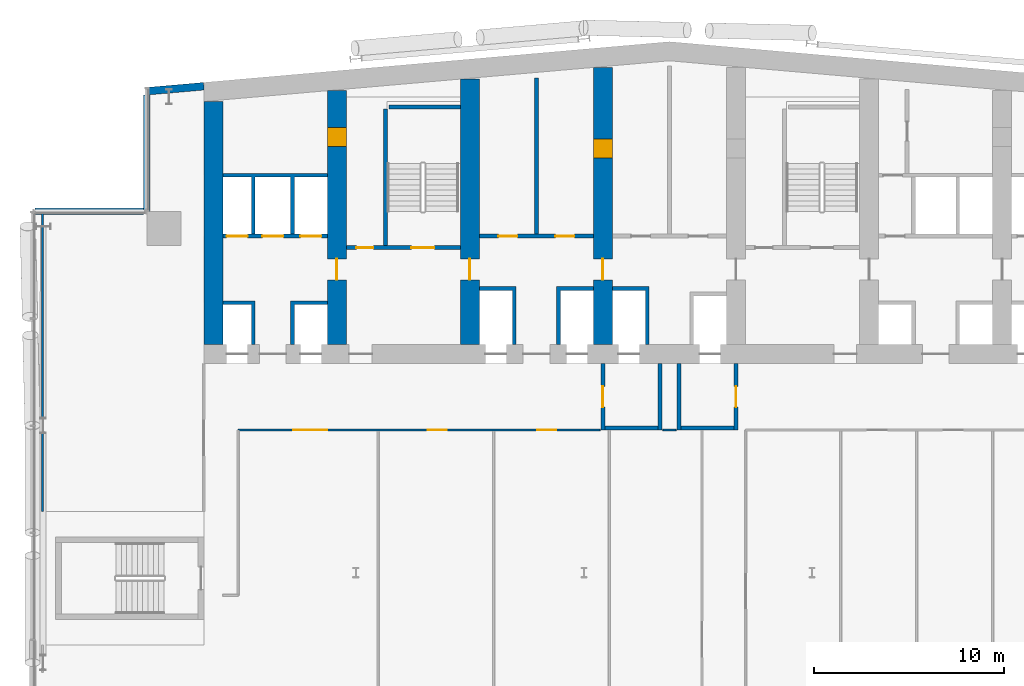
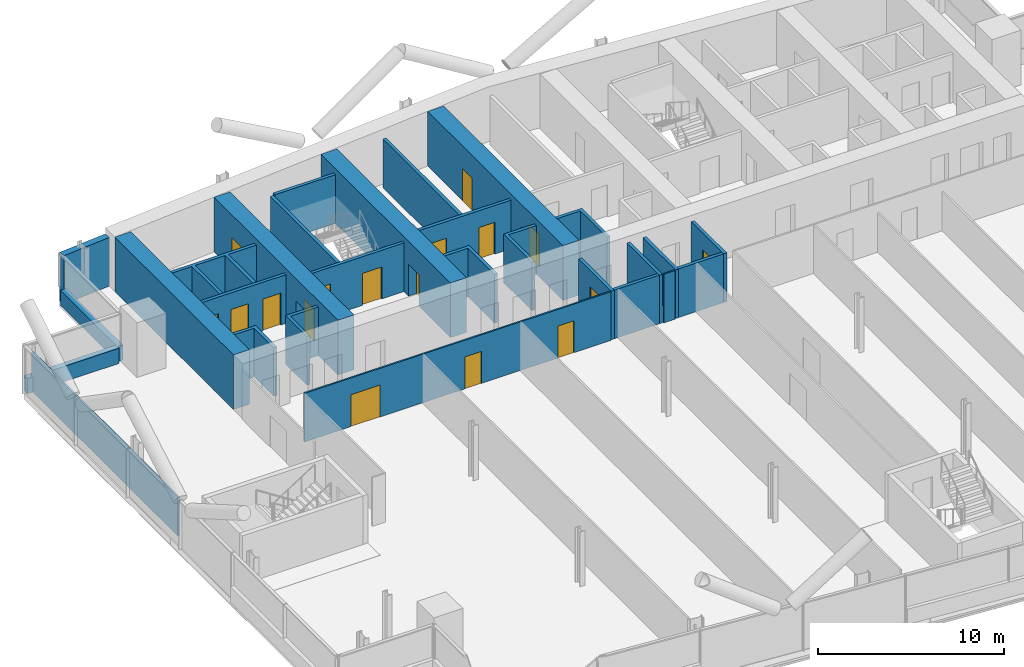
# One storey, part 15 of 26: 28 walls, 17 doors, 17 openings.
"""IFC4 building model written with IfcOpenShell, lengths in metres."""

from ifc_helpers import new_model, si_unit, direction, frame, frame_2d, origin, place, context, subcontext, project, spatial, polyline, rectangle, outline, extrude, material, layer, layer_set, type_object, element, fill, save


model = new_model("IFC4")

# Units and contexts
model_context = context("Model", 3, precision=1e-05, world=origin(), true_north=direction((0.0, 1.0)))
body_context = subcontext(model_context, "Body", "Model", "MODEL_VIEW")
ifc_project = project(units=[si_unit("LENGTHUNIT", "METRE"), si_unit("AREAUNIT", "SQUARE_METRE"), si_unit("VOLUMEUNIT", "CUBIC_METRE"), si_unit("PLANEANGLEUNIT", "RADIAN"), si_unit("MASSUNIT", "GRAM", prefix="KILO")], contexts=[model_context])

# Site, building, storey
site_placement = place(None, origin())
site = spatial("IfcSite", under=ifc_project, at=site_placement, CompositionType="ELEMENT")
building_placement = place(site_placement, origin())
building = spatial("IfcBuilding", under=site, at=building_placement, Name="Wharfspan Tower", CompositionType="ELEMENT")
storey_placement = place(building_placement, frame((0.0, 0.0, 125.5)))
storey = spatial("IfcBuildingStorey", under=building, at=storey_placement, Name="L29", CompositionType="ELEMENT", Elevation=125.5)

# Wall, openings, doors
ifc_material_1 = material(Name="Gypsum board on steel studs", Category="steel")
ifc_layer_1 = layer(ifc_material_1, 0.100098)
ifc_layer_set_1 = layer_set([ifc_layer_1], Name="Gypsum board on steel studs")
wall_type_1 = type_object("IfcWallType", Name="Compartment wall 100 EI 60", PredefinedType="PARTITIONING", material=ifc_layer_set_1)
wall_1_placement = place(storey_placement, frame((17.800049, 30.5, 0.0), z_axis=(0.0, 0.0, 1.0), x_axis=(1.0, 0.0, 0.0)))
wall_1 = element("IfcWall", 1, at=wall_1_placement, inside=storey, type_object=wall_type_1, Name="Partition L29.w006", PredefinedType="PARTITIONING", context=body_context, shape_type="SweptSolid", body=[
    extrude(rectangle(XDim=19.050049, YDim=0.100098, at=frame_2d((9.524902, 0.0))), origin(), (0.0, 0.0, 1.0), 3.199951),
])
opening_1_placement = place(wall_1_placement, frame((2.899902, 0.0, 0.0)))
opening_1 = element("IfcOpeningElement", 2, at=opening_1_placement, cuts=wall_1, Name="Opening B4-10", PredefinedType="OPENING", context=body_context, shape_type="SweptSolid", body=[
    extrude(rectangle(XDim=1.800049, YDim=2.100098, at=frame_2d((0.899902, 1.050049))), frame((0.0, 0.060059, 0.0), z_axis=(0.0, -1.0, 0.0), x_axis=(1.0, 0.0, 0.0)), (0.0, 0.0, 1.0), 0.120117),
])
opening_2_placement = place(wall_1_placement, frame((9.98999, 0.0, 0.0)))
opening_2 = element("IfcOpeningElement", 3, at=opening_2_placement, cuts=wall_1, Name="Opening B4-11", PredefinedType="OPENING", context=body_context, shape_type="SweptSolid", body=[
    extrude(rectangle(XDim=1.0, YDim=2.100098, at=frame_2d((0.5, 1.050049))), frame((0.0, 0.060059, 0.0), z_axis=(0.0, -1.0, 0.0), x_axis=(1.0, 0.0, 0.0)), (0.0, 0.0, 1.0), 0.120117),
])
opening_3_placement = place(wall_1_placement, frame((15.75, 0.0, 0.0)))
opening_3 = element("IfcOpeningElement", 4, at=opening_3_placement, cuts=wall_1, Name="Opening B4-12", PredefinedType="OPENING", context=body_context, shape_type="SweptSolid", body=[
    extrude(rectangle(XDim=1.0, YDim=2.100098, at=frame_2d((0.5, 1.050049))), frame((0.0, 0.060059, 0.0), z_axis=(0.0, -1.0, 0.0), x_axis=(1.0, 0.0, 0.0)), (0.0, 0.0, 1.0), 0.120117),
])
ifc_material_2 = material(Name="Fire-rated timber door leaf in steel frame", Category="steel")
door_type_1 = type_object("IfcDoorType", Name="Door 1000 FD30S Left", OperationType="SINGLE_SWING_LEFT", PredefinedType="DOOR", material=ifc_material_2)
door_1_placement = place(opening_2_placement, origin())
door_1 = element("IfcDoor", 5, at=door_1_placement, inside=storey, type_object=door_type_1, Name="Door B4-11", OperationType="SINGLE_SWING_LEFT", OverallHeight=2.100098, OverallWidth=1.0, PredefinedType="DOOR", context=body_context, shape_type="SweptSolid", body=[
    extrude(rectangle(XDim=1.0, YDim=2.100098, at=frame_2d((0.5, 1.050049))), frame((0.0, 0.024902, 0.0), z_axis=(0.0, -1.0, 0.0), x_axis=(1.0, 0.0, 0.0)), (0.0, 0.0, 1.0), 0.050049),
])
fill(opening_2, door_1)
door_type_2 = type_object("IfcDoorType", Name="Door 1000 FD30S Right", OperationType="SINGLE_SWING_RIGHT", PredefinedType="DOOR", material=ifc_material_2)
door_2_placement = place(opening_3_placement, origin())
door_2 = element("IfcDoor", 6, at=door_2_placement, inside=storey, type_object=door_type_2, Name="Door B4-12", OperationType="SINGLE_SWING_RIGHT", OverallHeight=2.100098, OverallWidth=1.0, PredefinedType="DOOR", context=body_context, shape_type="SweptSolid", body=[
    extrude(rectangle(XDim=1.0, YDim=2.100098, at=frame_2d((0.5, 1.050049))), frame((0.0, 0.024902, 0.0), z_axis=(0.0, -1.0, 0.0), x_axis=(1.0, 0.0, 0.0)), (0.0, 0.0, 1.0), 0.050049),
])
fill(opening_3, door_2)
door_type_3 = type_object("IfcDoorType", Name="Door 1800 FD30S Double", OperationType="DOUBLE_DOOR_SINGLE_SWING", PredefinedType="DOOR", material=ifc_material_2)
door_3_placement = place(opening_1_placement, origin())
door_3 = element("IfcDoor", 7, at=door_3_placement, inside=storey, type_object=door_type_3, Name="Door B4-10", OperationType="DOUBLE_DOOR_SINGLE_SWING", OverallHeight=2.100098, OverallWidth=1.800049, PredefinedType="DOOR", context=body_context, shape_type="SweptSolid", body=[
    extrude(rectangle(XDim=1.800049, YDim=2.100098, at=frame_2d((0.899902, 1.050049))), frame((0.0, 0.024902, 0.0), z_axis=(0.0, -1.0, 0.0), x_axis=(1.0, 0.0, 0.0)), (0.0, 0.0, 1.0), 0.050049),
])
fill(opening_1, door_3)

# Walls
wall_2_placement = place(storey_placement, frame((40.149902, 30.5, 0.0), z_axis=(0.0, 0.0, 1.0), x_axis=(1.0, 0.0, 0.0)))
element("IfcWall", 8, at=wall_2_placement, inside=storey, type_object=wall_type_1, Name="Partition L29.w006 (2)", PredefinedType="PARTITIONING", context=body_context, shape_type="SweptSolid", body=[
    extrude(rectangle(XDim=0.700195, YDim=0.100098, at=frame_2d((0.350098, 0.0))), origin(), (0.0, 0.0, 1.0), 3.199951),
])
ifc_material_3 = material(Name="Calcium silicate masonry", Category="masonry")
ifc_layer_2 = layer(ifc_material_3, 0.199951)
ifc_layer_set_2 = layer_set([ifc_layer_2], Name="Calcium silicate masonry")
wall_type_2 = type_object("IfcWallType", Name="Core room wall 200", PredefinedType="PARTITIONING", material=ifc_layer_set_2)
wall_3_placement = place(storey_placement, frame((33.5, 40.800049, 0.0), z_axis=(0.0, 0.0, 1.0), x_axis=(0.0, 1.0, 0.0)))
element("IfcWall", 9, at=wall_3_placement, inside=storey, type_object=wall_type_2, Name="sw:L29:RP3.1", PredefinedType="PARTITIONING", context=body_context, shape_type="SweptSolid", body=[
    extrude(rectangle(XDim=8.232178, YDim=0.199951, at=frame_2d((4.116211, 0.0))), origin(), (0.0, 0.0, 1.0), 3.199951),
])
ifc_material_4 = material(Name="Concrete C70/85", Category="concrete")
ifc_layer_3 = layer(ifc_material_4, 1.0)
ifc_layer_set_3 = layer_set([ifc_layer_3], Name="Concrete C70/85")
wall_type_3 = type_object("IfcWallType", Name="Core wall 1000 C70/85", PredefinedType="SHEAR", material=ifc_layer_set_3)
wall_4_placement = place(storey_placement, frame((16.5, 35.0, 0.0), z_axis=(0.0, 0.0, 1.0), x_axis=(0.0, 1.0, 0.0)))
element("IfcWall", 10, at=wall_4_placement, inside=storey, type_object=wall_type_3, Name="Core cross wall EW0 L29", PredefinedType="SHEAR", context=body_context, shape_type="SweptSolid", body=[
    extrude(rectangle(XDim=12.783691, YDim=1.0, at=frame_2d((6.391846, 0.0))), origin(), (0.0, 0.0, 1.0), 3.600098),
])

# Wall, openings, doors
wall_5_placement = place(storey_placement, frame((23.0, 35.0, 0.0), z_axis=(0.0, 0.0, 1.0), x_axis=(0.0, 1.0, 0.0)))
wall_5 = element("IfcWall", 11, at=wall_5_placement, inside=storey, type_object=wall_type_3, Name="Core cross wall X2 L29", PredefinedType="SHEAR", context=body_context, shape_type="SweptSolid", body=[
    extrude(rectangle(XDim=13.352295, YDim=1.0, at=frame_2d((6.67627, 0.0))), origin(), (0.0, 0.0, 1.0), 3.600098),
])
opening_4_placement = place(wall_5_placement, frame((10.425537, 0.0, 0.0)))
opening_4 = element("IfcOpeningElement", 12, at=opening_4_placement, cuts=wall_5, Name="Opening CD29.1X", PredefinedType="OPENING", context=body_context, shape_type="SweptSolid", body=[
    extrude(rectangle(XDim=1.0, YDim=2.100098, at=frame_2d((0.5, 1.050049))), frame((0.0, 0.51001, 0.0), z_axis=(0.0, -1.0, 0.0), x_axis=(1.0, 0.0, 0.0)), (0.0, 0.0, 1.0), 1.02002),
])
opening_5_placement = place(wall_5_placement, frame((3.399902, 0.0, 0.0)))
opening_5 = element("IfcOpeningElement", 13, at=opening_5_placement, cuts=wall_5, Name="Opening CC29.2", PredefinedType="OPENING", context=body_context, shape_type="SweptSolid", body=[
    extrude(rectangle(XDim=1.100098, YDim=2.100098, at=frame_2d((0.550049, 1.050049))), frame((0.0, 0.51001, 0.0), z_axis=(0.0, -1.0, 0.0), x_axis=(1.0, 0.0, 0.0)), (0.0, 0.0, 1.0), 1.02002),
])
ifc_material_5 = material(Name="Steel door leaf", Category="steel")
door_type_4 = type_object("IfcDoorType", Name="Core corridor door 1100x2100", OperationType="SINGLE_SWING_LEFT", PredefinedType="DOOR", material=ifc_material_5)
door_4_placement = place(opening_5_placement, origin())
door_4 = element("IfcDoor", 14, at=door_4_placement, inside=storey, type_object=door_type_4, Name="xd:L29:2", OperationType="SINGLE_SWING_RIGHT", OverallHeight=2.100098, OverallWidth=1.100098, PredefinedType="DOOR", context=body_context, shape_type="SweptSolid", body=[
    extrude(rectangle(XDim=1.100098, YDim=2.100098, at=frame_2d((0.550049, 1.050049))), frame((0.0, 0.024902, 0.0), z_axis=(0.0, -1.0, 0.0), x_axis=(1.0, 0.0, 0.0)), (0.0, 0.0, 1.0), 0.050049),
])
fill(opening_5, door_4)
door_type_5 = type_object("IfcDoorType", Name="Core room door 1000x2100", OperationType="SINGLE_SWING_LEFT", PredefinedType="DOOR", material=ifc_material_5)
door_5_placement = place(opening_4_placement, origin())
door_5 = element("IfcDoor", 15, at=door_5_placement, inside=storey, type_object=door_type_5, Name="d:L29:1:sx", OperationType="SINGLE_SWING_LEFT", OverallHeight=2.100098, OverallWidth=1.0, PredefinedType="DOOR", context=body_context, shape_type="SweptSolid", body=[
    extrude(rectangle(XDim=1.0, YDim=2.100098, at=frame_2d((0.5, 1.050049))), frame((0.0, 0.499756, 0.0), z_axis=(0.0, -1.0, 0.0), x_axis=(1.0, 0.0, 0.0)), (0.0, 0.0, 1.0), 0.999512),
])
fill(opening_4, door_5)

# Wall, opening, door
wall_6_placement = place(storey_placement, frame((30.0, 35.0, 0.0), z_axis=(0.0, 0.0, 1.0), x_axis=(0.0, 1.0, 0.0)))
wall_6 = element("IfcWall", 16, at=wall_6_placement, inside=storey, type_object=wall_type_3, Name="Core cross wall X3 L29", PredefinedType="SHEAR", context=body_context, shape_type="SweptSolid", body=[
    extrude(rectangle(XDim=13.9646, YDim=1.0, at=frame_2d((6.982422, 0.0))), origin(), (0.0, 0.0, 1.0), 3.600098),
])
opening_6_placement = place(wall_6_placement, frame((3.399902, 0.0, 0.0)))
opening_6 = element("IfcOpeningElement", 17, at=opening_6_placement, cuts=wall_6, Name="Opening CC29.3", PredefinedType="OPENING", context=body_context, shape_type="SweptSolid", body=[
    extrude(rectangle(XDim=1.100098, YDim=2.100098, at=frame_2d((0.550049, 1.050049))), frame((0.0, 0.51001, 0.0), z_axis=(0.0, -1.0, 0.0), x_axis=(1.0, 0.0, 0.0)), (0.0, 0.0, 1.0), 1.02002),
])
door_6_placement = place(opening_6_placement, origin())
door_6 = element("IfcDoor", 18, at=door_6_placement, inside=storey, type_object=door_type_4, Name="xd:L29:3", OperationType="SINGLE_SWING_LEFT", OverallHeight=2.100098, OverallWidth=1.100098, PredefinedType="DOOR", context=body_context, shape_type="SweptSolid", body=[
    extrude(rectangle(XDim=1.100098, YDim=2.100098, at=frame_2d((0.550049, 1.050049))), frame((0.0, 0.024902, 0.0), z_axis=(0.0, -1.0, 0.0), x_axis=(1.0, 0.0, 0.0)), (0.0, 0.0, 1.0), 0.050049),
])
fill(opening_6, door_6)

# Wall, openings, doors
wall_7_placement = place(storey_placement, frame((37.0, 35.0, 0.0), z_axis=(0.0, 0.0, 1.0), x_axis=(0.0, 1.0, 0.0)))
wall_7 = element("IfcWall", 19, at=wall_7_placement, inside=storey, type_object=wall_type_3, Name="Core cross wall X4 L29", PredefinedType="SHEAR", context=body_context, shape_type="SweptSolid", body=[
    extrude(rectangle(XDim=14.577148, YDim=1.0, at=frame_2d((7.288574, 0.0))), origin(), (0.0, 0.0, 1.0), 3.600098),
])
opening_7_placement = place(wall_7_placement, frame((3.399902, 0.0, 0.0)))
opening_7 = element("IfcOpeningElement", 20, at=opening_7_placement, cuts=wall_7, Name="Opening CC29.4", PredefinedType="OPENING", context=body_context, shape_type="SweptSolid", body=[
    extrude(rectangle(XDim=1.100098, YDim=2.100098, at=frame_2d((0.550049, 1.050049))), frame((0.0, 0.51001, 0.0), z_axis=(0.0, -1.0, 0.0), x_axis=(1.0, 0.0, 0.0)), (0.0, 0.0, 1.0), 1.02002),
])
opening_8_placement = place(wall_7_placement, frame((9.800049, 0.0, 0.0)))
opening_8 = element("IfcOpeningElement", 21, at=opening_8_placement, cuts=wall_7, Name="Opening CR29.4", PredefinedType="OPENING", context=body_context, shape_type="SweptSolid", body=[
    extrude(rectangle(XDim=1.0, YDim=2.100098, at=frame_2d((0.5, 1.050049))), frame((0.0, 0.51001, 0.0), z_axis=(0.0, -1.0, 0.0), x_axis=(1.0, 0.0, 0.0)), (0.0, 0.0, 1.0), 1.02002),
])
door_7_placement = place(opening_7_placement, origin())
door_7 = element("IfcDoor", 22, at=door_7_placement, inside=storey, type_object=door_type_4, Name="xd:L29:4", OperationType="SINGLE_SWING_RIGHT", OverallHeight=2.100098, OverallWidth=1.100098, PredefinedType="DOOR", context=body_context, shape_type="SweptSolid", body=[
    extrude(rectangle(XDim=1.100098, YDim=2.100098, at=frame_2d((0.550049, 1.050049))), frame((0.0, 0.024902, 0.0), z_axis=(0.0, -1.0, 0.0), x_axis=(1.0, 0.0, 0.0)), (0.0, 0.0, 1.0), 0.050049),
])
fill(opening_7, door_7)
door_8_placement = place(opening_8_placement, origin())
door_8 = element("IfcDoor", 23, at=door_8_placement, inside=storey, type_object=door_type_5, Name="xr:L29:4", OperationType="SINGLE_SWING_RIGHT", OverallHeight=2.100098, OverallWidth=1.0, PredefinedType="DOOR", context=body_context, shape_type="SweptSolid", body=[
    extrude(rectangle(XDim=1.0, YDim=2.100098, at=frame_2d((0.5, 1.050049))), frame((0.0, 0.499756, 0.0), z_axis=(0.0, -1.0, 0.0), x_axis=(1.0, 0.0, 0.0)), (0.0, 0.0, 1.0), 0.999512),
])
fill(opening_8, door_8)

ifc_material_6 = material(Name="Concrete C30/37", Category="concrete")
ifc_layer_4 = layer(ifc_material_6, 0.199951)
ifc_layer_set_4 = layer_set([ifc_layer_4], Name="Concrete C30/37")
wall_type_4 = type_object("IfcWallType", Name="Lift shaft wall 200", PredefinedType="PARTITIONING", material=ifc_layer_set_4)
wall_8_placement = place(storey_placement, frame((17.0, 40.699951, 0.0), z_axis=(0.0, 0.0, 1.0), x_axis=(1.0, 0.0, 0.0)))
wall_8 = element("IfcWall", 24, at=wall_8_placement, inside=storey, type_object=wall_type_4, Name="sw:L29:RF1", PredefinedType="PARTITIONING", context=body_context, shape_type="SweptSolid", body=[
    extrude(rectangle(XDim=5.5, YDim=0.199951, at=frame_2d((2.75, 0.0))), origin(), (0.0, 0.0, 1.0), 3.199951),
])
opening_9_placement = place(wall_8_placement, frame((0.199951, 0.0, 0.0)))
opening_9 = element("IfcOpeningElement", 25, at=opening_9_placement, cuts=wall_8, Name="Opening LD.LA3.L29", PredefinedType="OPENING", context=body_context, shape_type="SweptSolid", body=[
    extrude(rectangle(XDim=1.100098, YDim=2.100098, at=frame_2d((0.550049, 1.050049))), frame((0.0, 0.109863, 0.0), z_axis=(0.0, -1.0, 0.0), x_axis=(1.0, 0.0, 0.0)), (0.0, 0.0, 1.0), 0.219971),
])
opening_10_placement = place(wall_8_placement, frame((2.083252, 0.0, 0.0)))
opening_10 = element("IfcOpeningElement", 26, at=opening_10_placement, cuts=wall_8, Name="Opening LD.LA4.L29", PredefinedType="OPENING", context=body_context, shape_type="SweptSolid", body=[
    extrude(rectangle(XDim=1.100098, YDim=2.100098, at=frame_2d((0.550049, 1.050049))), frame((0.0, 0.109863, 0.0), z_axis=(0.0, -1.0, 0.0), x_axis=(1.0, 0.0, 0.0)), (0.0, 0.0, 1.0), 0.219971),
])
opening_11_placement = place(wall_8_placement, frame((4.083252, 0.0, 0.0)))
opening_11 = element("IfcOpeningElement", 27, at=opening_11_placement, cuts=wall_8, Name="Opening LD.LA5.L29", PredefinedType="OPENING", context=body_context, shape_type="SweptSolid", body=[
    extrude(rectangle(XDim=1.100098, YDim=2.100098, at=frame_2d((0.550049, 1.050049))), frame((0.0, 0.109863, 0.0), z_axis=(0.0, -1.0, 0.0), x_axis=(1.0, 0.0, 0.0)), (0.0, 0.0, 1.0), 0.219971),
])
ifc_material_7 = material(Name="Stainless steel", Category="steel")
door_type_6 = type_object("IfcDoorType", Name="Lift landing door 1100x2100", OperationType="DOUBLE_DOOR_SLIDING", PredefinedType="DOOR", material=ifc_material_7)
door_9_placement = place(opening_9_placement, origin())
door_9 = element("IfcDoor", 28, at=door_9_placement, inside=storey, type_object=door_type_6, Name="Landing door LA3 L29", OperationType="DOUBLE_DOOR_SLIDING", OverallHeight=2.100098, OverallWidth=1.100098, PredefinedType="DOOR", context=body_context, shape_type="SweptSolid", body=[
    extrude(rectangle(XDim=1.100098, YDim=2.100098, at=frame_2d((0.550049, 1.050049))), frame((0.0, 0.024902, 0.0), z_axis=(0.0, -1.0, 0.0), x_axis=(1.0, 0.0, 0.0)), (0.0, 0.0, 1.0), 0.050049),
])
fill(opening_9, door_9)
door_10_placement = place(opening_10_placement, origin())
door_10 = element("IfcDoor", 29, at=door_10_placement, inside=storey, type_object=door_type_6, Name="Landing door LA4 L29", OperationType="DOUBLE_DOOR_SLIDING", OverallHeight=2.100098, OverallWidth=1.100098, PredefinedType="DOOR", context=body_context, shape_type="SweptSolid", body=[
    extrude(rectangle(XDim=1.100098, YDim=2.100098, at=frame_2d((0.550049, 1.050049))), frame((0.0, 0.024902, 0.0), z_axis=(0.0, -1.0, 0.0), x_axis=(1.0, 0.0, 0.0)), (0.0, 0.0, 1.0), 0.050049),
])
fill(opening_10, door_10)
door_11_placement = place(opening_11_placement, origin())
door_11 = element("IfcDoor", 30, at=door_11_placement, inside=storey, type_object=door_type_6, Name="Landing door LA5 L29", OperationType="DOUBLE_DOOR_SLIDING", OverallHeight=2.100098, OverallWidth=1.100098, PredefinedType="DOOR", context=body_context, shape_type="SweptSolid", body=[
    extrude(rectangle(XDim=1.100098, YDim=2.100098, at=frame_2d((0.550049, 1.050049))), frame((0.0, 0.024902, 0.0), z_axis=(0.0, -1.0, 0.0), x_axis=(1.0, 0.0, 0.0)), (0.0, 0.0, 1.0), 0.050049),
])
fill(opening_11, door_11)

# Walls
wall_9_placement = place(storey_placement, frame((0.0, 0.0, -0.000244)))
element("IfcWall", 31, at=wall_9_placement, inside=storey, type_object=wall_type_4, Name="sw:L29:FM1.0", PredefinedType="PARTITIONING", context=body_context, shape_type="SweptSolid", body=[
    extrude(outline(polyline([(18.5, 37.100098), (17.0, 37.100098), (17.0, 37.300049), (18.5, 37.300049), (18.699951, 37.300049), (18.699951, 35.0), (18.5, 35.0), (18.5, 37.100098)])), origin(), (0.0, 0.0, 1.0), 3.200195),
])
wall_10_placement = place(storey_placement, frame((0.0, 0.0, -0.000244)))
element("IfcWall", 32, at=wall_10_placement, inside=storey, type_object=wall_type_4, Name="sw:L29:FM1.1", PredefinedType="PARTITIONING", context=body_context, shape_type="SweptSolid", body=[
    extrude(outline(polyline([(20.56665, 37.300049), (20.766602, 37.300049), (22.5, 37.300049), (22.5, 37.100098), (20.766602, 37.100098), (20.766602, 35.0), (20.56665, 35.0), (20.56665, 37.300049)])), origin(), (0.0, 0.0, 1.0), 3.200195),
])
wall_11_placement = place(storey_placement, frame((0.0, 0.0, -0.000244)))
element("IfcWall", 33, at=wall_11_placement, inside=storey, type_object=wall_type_4, Name="sw:L29:RM1.0", PredefinedType="PARTITIONING", context=body_context, shape_type="SweptSolid", body=[
    extrude(outline(polyline([(18.699951, 40.800049), (18.5, 40.800049), (18.5, 43.800049), (17.0, 43.800049), (17.0, 44.0), (22.5, 44.0), (22.5, 43.800049), (20.766602, 43.800049), (20.766602, 40.800049), (20.56665, 40.800049), (20.56665, 43.800049), (18.699951, 43.800049), (18.699951, 40.800049)])), origin(), (0.0, 0.0, 1.0), 3.200195),
])

# Wall, openings, doors
wall_12_placement = place(storey_placement, frame((30.5, 40.699951, 0.0), z_axis=(0.0, 0.0, 1.0), x_axis=(1.0, 0.0, 0.0)))
wall_12 = element("IfcWall", 34, at=wall_12_placement, inside=storey, type_object=wall_type_4, Name="sw:L29:RF3", PredefinedType="PARTITIONING", context=body_context, shape_type="SweptSolid", body=[
    extrude(rectangle(XDim=6.0, YDim=0.199951, at=frame_2d((3.0, 0.0))), origin(), (0.0, 0.0, 1.0), 3.199951),
])
opening_12_placement = place(wall_12_placement, frame((1.0, 0.0, 0.0)))
opening_12 = element("IfcOpeningElement", 35, at=opening_12_placement, cuts=wall_12, Name="Opening CD29.3S", PredefinedType="OPENING", context=body_context, shape_type="SweptSolid", body=[
    extrude(rectangle(XDim=1.0, YDim=2.100098, at=frame_2d((0.5, 1.050049))), frame((0.0, 0.109863, 0.0), z_axis=(0.0, -1.0, 0.0), x_axis=(1.0, 0.0, 0.0)), (0.0, 0.0, 1.0), 0.219971),
])
opening_13_placement = place(wall_12_placement, frame((4.0, 0.0, 0.0)))
opening_13 = element("IfcOpeningElement", 36, at=opening_13_placement, cuts=wall_12, Name="Opening CD29.3Sa", PredefinedType="OPENING", context=body_context, shape_type="SweptSolid", body=[
    extrude(rectangle(XDim=1.0, YDim=2.100098, at=frame_2d((0.5, 1.050049))), frame((0.0, 0.109863, 0.0), z_axis=(0.0, -1.0, 0.0), x_axis=(1.0, 0.0, 0.0)), (0.0, 0.0, 1.0), 0.219971),
])
door_12_placement = place(opening_12_placement, origin())
door_12 = element("IfcDoor", 37, at=door_12_placement, inside=storey, type_object=door_type_5, Name="d:L29:3:sf", OperationType="SINGLE_SWING_LEFT", OverallHeight=2.100098, OverallWidth=1.0, PredefinedType="DOOR", context=body_context, shape_type="SweptSolid", body=[
    extrude(rectangle(XDim=1.0, YDim=2.100098, at=frame_2d((0.5, 1.050049))), frame((0.0, 0.024902, 0.0), z_axis=(0.0, -1.0, 0.0), x_axis=(1.0, 0.0, 0.0)), (0.0, 0.0, 1.0), 0.050049),
])
fill(opening_12, door_12)
door_13_placement = place(opening_13_placement, origin())
door_13 = element("IfcDoor", 38, at=door_13_placement, inside=storey, type_object=door_type_5, Name="d:L29:3:sf1", OperationType="SINGLE_SWING_LEFT", OverallHeight=2.100098, OverallWidth=1.0, PredefinedType="DOOR", context=body_context, shape_type="SweptSolid", body=[
    extrude(rectangle(XDim=1.0, YDim=2.100098, at=frame_2d((0.5, 1.050049))), frame((0.0, 0.024902, 0.0), z_axis=(0.0, -1.0, 0.0), x_axis=(1.0, 0.0, 0.0)), (0.0, 0.0, 1.0), 0.050049),
])
fill(opening_13, door_13)

# Walls
wall_13_placement = place(storey_placement, frame((0.0, 0.0, -0.000244)))
element("IfcWall", 39, at=wall_13_placement, inside=storey, type_object=wall_type_4, Name="sw:L29:FM3.0", PredefinedType="PARTITIONING", context=body_context, shape_type="SweptSolid", body=[
    extrude(outline(polyline([(32.233398, 37.850098), (30.5, 37.850098), (30.5, 38.050049), (32.233398, 38.050049), (32.43335, 38.050049), (32.43335, 35.0), (32.233398, 35.0), (32.233398, 37.850098)])), origin(), (0.0, 0.0, 1.0), 3.200195),
])
wall_14_placement = place(storey_placement, frame((0.0, 0.0, -0.000244)))
element("IfcWall", 40, at=wall_14_placement, inside=storey, type_object=wall_type_4, Name="sw:L29:FM3.1", PredefinedType="PARTITIONING", context=body_context, shape_type="SweptSolid", body=[
    extrude(outline(polyline([(34.56665, 38.050049), (34.766602, 38.050049), (36.5, 38.050049), (36.5, 37.850098), (34.766602, 37.850098), (34.766602, 35.0), (34.56665, 35.0), (34.56665, 38.050049)])), origin(), (0.0, 0.0, 1.0), 3.200195),
])
wall_15_placement = place(storey_placement, frame((0.0, 0.0, -0.000244)))
element("IfcWall", 41, at=wall_15_placement, inside=storey, type_object=wall_type_4, Name="sw:L29:FM4.1", PredefinedType="PARTITIONING", context=body_context, shape_type="SweptSolid", body=[
    extrude(outline(polyline([(39.233398, 37.850098), (37.5, 37.850098), (37.5, 38.050049), (39.233398, 38.050049), (39.43335, 38.050049), (39.43335, 35.0), (39.233398, 35.0), (39.233398, 37.850098)])), origin(), (0.0, 0.0, 1.0), 3.200195),
])

# Wall, opening, door
ifc_layer_5 = layer(ifc_material_6, 0.199951)
ifc_layer_set_5 = layer_set([ifc_layer_5], Name="Concrete C30/37")
wall_type_5 = type_object("IfcWallType", Name="Lobby wall 200", PredefinedType="PARTITIONING", material=ifc_layer_set_5)
wall_16_placement = place(storey_placement, frame((37.0, 30.5, 0.0), z_axis=(0.0, 0.0, 1.0), x_axis=(0.0, 1.0, 0.0)))
wall_16 = element("IfcWall", 42, at=wall_16_placement, inside=storey, type_object=wall_type_5, Name="sw:L29:FLFF1W", PredefinedType="PARTITIONING", context=body_context, shape_type="SweptSolid", body=[
    extrude(rectangle(XDim=3.5, YDim=0.199951, at=frame_2d((1.75, 0.0))), origin(), (0.0, 0.0, 1.0), 3.199951),
])
opening_14_placement = place(wall_16_placement, frame((1.199951, 0.0, 0.0)))
opening_14 = element("IfcOpeningElement", 43, at=opening_14_placement, cuts=wall_16, Name="Opening FL.FF1.L29", PredefinedType="OPENING", context=body_context, shape_type="SweptSolid", body=[
    extrude(rectangle(XDim=1.100098, YDim=2.100098, at=frame_2d((0.550049, 1.050049))), frame((0.0, 0.109863, 0.0), z_axis=(0.0, -1.0, 0.0), x_axis=(1.0, 0.0, 0.0)), (0.0, 0.0, 1.0), 0.219971),
])
door_type_7 = type_object("IfcDoorType", Name="Firefighting lobby door 1100x2100", OperationType="SINGLE_SWING_LEFT", PredefinedType="DOOR", material=ifc_material_5)
door_14_placement = place(opening_14_placement, origin())
door_14 = element("IfcDoor", 44, at=door_14_placement, inside=storey, type_object=door_type_7, Name="fd:L29:FF1", OperationType="SINGLE_SWING_LEFT", OverallHeight=2.100098, OverallWidth=1.100098, PredefinedType="DOOR", context=body_context, shape_type="SweptSolid", body=[
    extrude(rectangle(XDim=1.100098, YDim=2.100098, at=frame_2d((0.550049, 1.050049))), frame((0.0, 0.024902, 0.0), z_axis=(0.0, -1.0, 0.0), x_axis=(1.0, 0.0, 0.0)), (0.0, 0.0, 1.0), 0.050049),
])
fill(opening_14, door_14)

# Walls
wall_17_placement = place(storey_placement, frame((40.0, 30.5, 0.0), z_axis=(0.0, 0.0, 1.0), x_axis=(0.0, 1.0, 0.0)))
element("IfcWall", 45, at=wall_17_placement, inside=storey, type_object=wall_type_5, Name="sw:L29:FLFF1E", PredefinedType="PARTITIONING", context=body_context, shape_type="SweptSolid", body=[
    extrude(rectangle(XDim=3.5, YDim=0.199951, at=frame_2d((1.75, 0.0))), origin(), (0.0, 0.0, 1.0), 3.199951),
])
wall_18_placement = place(storey_placement, frame((37.100098, 30.600098, 0.0), z_axis=(0.0, 0.0, 1.0), x_axis=(1.0, 0.0, 0.0)))
element("IfcWall", 46, at=wall_18_placement, inside=storey, type_object=wall_type_5, Name="sw:L29:FLFF1F", PredefinedType="PARTITIONING", context=body_context, shape_type="SweptSolid", body=[
    extrude(rectangle(XDim=2.799805, YDim=0.199951, at=frame_2d((1.399902, 0.0))), origin(), (0.0, 0.0, 1.0), 3.199951),
])
wall_19_placement = place(storey_placement, frame((41.0, 30.5, 0.0), z_axis=(0.0, 0.0, 1.0), x_axis=(0.0, 1.0, 0.0)))
element("IfcWall", 47, at=wall_19_placement, inside=storey, type_object=wall_type_5, Name="sw:L29:FLFF2W", PredefinedType="PARTITIONING", context=body_context, shape_type="SweptSolid", body=[
    extrude(rectangle(XDim=3.5, YDim=0.199951, at=frame_2d((1.75, 0.0))), origin(), (0.0, 0.0, 1.0), 3.199951),
])

# Wall, opening, door
wall_20_placement = place(storey_placement, frame((44.0, 30.5, 0.0), z_axis=(0.0, 0.0, 1.0), x_axis=(0.0, 1.0, 0.0)))
wall_20 = element("IfcWall", 48, at=wall_20_placement, inside=storey, type_object=wall_type_5, Name="sw:L29:FLFF2E", PredefinedType="PARTITIONING", context=body_context, shape_type="SweptSolid", body=[
    extrude(rectangle(XDim=3.5, YDim=0.199951, at=frame_2d((1.75, 0.0))), origin(), (0.0, 0.0, 1.0), 3.199951),
])
opening_15_placement = place(wall_20_placement, frame((1.199951, 0.0, 0.0)))
opening_15 = element("IfcOpeningElement", 49, at=opening_15_placement, cuts=wall_20, Name="Opening FL.FF2.L29", PredefinedType="OPENING", context=body_context, shape_type="SweptSolid", body=[
    extrude(rectangle(XDim=1.100098, YDim=2.100098, at=frame_2d((0.550049, 1.050049))), frame((0.0, 0.109863, 0.0), z_axis=(0.0, -1.0, 0.0), x_axis=(1.0, 0.0, 0.0)), (0.0, 0.0, 1.0), 0.219971),
])
door_15_placement = place(opening_15_placement, origin())
door_15 = element("IfcDoor", 50, at=door_15_placement, inside=storey, type_object=door_type_7, Name="fd:L29:FF2", OperationType="SINGLE_SWING_LEFT", OverallHeight=2.100098, OverallWidth=1.100098, PredefinedType="DOOR", context=body_context, shape_type="SweptSolid", body=[
    extrude(rectangle(XDim=1.100098, YDim=2.100098, at=frame_2d((0.550049, 1.050049))), frame((0.0, 0.024902, 0.0), z_axis=(0.0, -1.0, 0.0), x_axis=(1.0, 0.0, 0.0)), (0.0, 0.0, 1.0), 0.050049),
])
fill(opening_15, door_15)

# Walls
wall_21_placement = place(storey_placement, frame((41.100098, 30.600098, 0.0), z_axis=(0.0, 0.0, 1.0), x_axis=(1.0, 0.0, 0.0)))
element("IfcWall", 51, at=wall_21_placement, inside=storey, type_object=wall_type_5, Name="sw:L29:FLFF2F", PredefinedType="PARTITIONING", context=body_context, shape_type="SweptSolid", body=[
    extrude(rectangle(XDim=2.799805, YDim=0.199951, at=frame_2d((1.399902, 0.0))), origin(), (0.0, 0.0, 1.0), 3.199951),
])
ifc_layer_6 = layer(ifc_material_1, 0.100098)
ifc_layer_set_6 = layer_set([ifc_layer_6], Name="Gypsum board on steel studs")
wall_type_6 = type_object("IfcWallType", Name="Partition 100", PredefinedType="PARTITIONING", material=ifc_layer_set_6)
wall_22_placement = place(storey_placement, frame((7.51001, 26.219971, 0.0), z_axis=(0.0, 0.0, 1.0), x_axis=(0.0, 1.0, 0.0)))
element("IfcWall", 52, at=wall_22_placement, inside=storey, type_object=wall_type_6, Name="Partition L29.w002", PredefinedType="PARTITIONING", context=body_context, shape_type="SweptSolid", body=[
    extrude(rectangle(XDim=15.76001, YDim=0.100098, at=frame_2d((7.879883, 0.0))), origin(), (0.0, 0.0, 1.0), 2.580078),
])
ifc_material_8 = material(Name="Concrete C40/50", Category="concrete")
ifc_layer_7 = layer(ifc_material_8, 0.350098)
ifc_layer_set_7 = layer_set([ifc_layer_7], Name="Concrete C40/50")
wall_type_7 = type_object("IfcWallType", Name="SPANDREL EXPOSED CONCRETE 350", PredefinedType="SOLIDWALL", material=ifc_layer_set_7)
wall_23_placement = place(storey_placement, frame((12.995117, 48.126465, 0.0), z_axis=(0.0, 0.0, 1.0), x_axis=(0.0, -1.0, 0.0)))
element("IfcWall", 53, at=wall_23_placement, inside=storey, type_object=wall_type_7, Name="Spandrel upstand L29 NRW-V", PredefinedType="SOLIDWALL", context=body_context, shape_type="SweptSolid", body=[
    extrude(rectangle(XDim=6.126465, YDim=0.350098, at=frame_2d((3.063232, 0.0))), origin(), (0.0, 0.0, 1.0), 1.0),
])
wall_24_placement = place(storey_placement, frame((12.820068, 42.004883, 0.0), z_axis=(0.0, 0.0, 1.0), x_axis=(-1.0, 0.0, 0.0)))
element("IfcWall", 54, at=wall_24_placement, inside=storey, type_object=wall_type_7, Name="Spandrel upstand L29 NRW-H", PredefinedType="SOLIDWALL", context=body_context, shape_type="SweptSolid", body=[
    extrude(rectangle(XDim=5.699951, YDim=0.350098, at=frame_2d((2.850098, 0.0))), origin(), (0.0, 0.0, 1.0), 1.0),
])

# Wall, openings, doors
ifc_layer_8 = layer(ifc_material_8, 0.199951)
ifc_layer_set_8 = layer_set([ifc_layer_8], Name="Concrete C40/50")
wall_type_8 = type_object("IfcWallType", Name="Stair shaft wall 200", PredefinedType="SHEAR", material=ifc_layer_set_8)
wall_25_placement = place(storey_placement, frame((23.5, 40.100098, 0.0), z_axis=(0.0, 0.0, 1.0), x_axis=(1.0, 0.0, 0.0)))
wall_25 = element("IfcWall", 55, at=wall_25_placement, inside=storey, type_object=wall_type_8, Name="ST1 stair enclosure wall L29", PredefinedType="SHEAR", context=body_context, shape_type="SweptSolid", body=[
    extrude(rectangle(XDim=6.0, YDim=0.199951, at=frame_2d((3.0, 0.0))), origin(), (0.0, 0.0, 1.0), 3.199951),
])
opening_16_placement = place(wall_25_placement, frame((3.425049, 0.0, 0.0)))
opening_16 = element("IfcOpeningElement", 56, at=opening_16_placement, cuts=wall_25, Name="Opening SD2.L29", PredefinedType="OPENING", context=body_context, shape_type="SweptSolid", body=[
    extrude(rectangle(XDim=1.199951, YDim=2.100098, at=frame_2d((0.600098, 1.050049))), frame((0.0, 0.109863, 0.0), z_axis=(0.0, -1.0, 0.0), x_axis=(1.0, 0.0, 0.0)), (0.0, 0.0, 1.0), 0.219971),
])
opening_17_placement = place(wall_25_placement, frame((0.524902, 0.0, 0.0)))
opening_17 = element("IfcOpeningElement", 57, at=opening_17_placement, cuts=wall_25, Name="Opening CD29.2R", PredefinedType="OPENING", context=body_context, shape_type="SweptSolid", body=[
    extrude(rectangle(XDim=0.899902, YDim=2.100098, at=frame_2d((0.449951, 1.050049))), frame((0.0, 0.109863, 0.0), z_axis=(0.0, -1.0, 0.0), x_axis=(1.0, 0.0, 0.0)), (0.0, 0.0, 1.0), 0.219971),
])
door_16_placement = place(opening_17_placement, origin())
door_16 = element("IfcDoor", 58, at=door_16_placement, inside=storey, type_object=door_type_5, Name="rk:L29:2", OperationType="SINGLE_SWING_LEFT", OverallHeight=2.100098, OverallWidth=0.899902, PredefinedType="DOOR", context=body_context, shape_type="SweptSolid", body=[
    extrude(rectangle(XDim=0.899902, YDim=2.100098, at=frame_2d((0.449951, 1.050049))), frame((0.0, 0.024902, 0.0), z_axis=(0.0, -1.0, 0.0), x_axis=(1.0, 0.0, 0.0)), (0.0, 0.0, 1.0), 0.050049),
])
fill(opening_17, door_16)
door_type_8 = type_object("IfcDoorType", Name="Stair door 1200x2100", OperationType="SINGLE_SWING_LEFT", PredefinedType="DOOR", material=ifc_material_5)
door_17_placement = place(opening_16_placement, origin())
door_17 = element("IfcDoor", 59, at=door_17_placement, inside=storey, type_object=door_type_8, Name="sd:L29:2", OperationType="SINGLE_SWING_RIGHT", OverallHeight=2.100098, OverallWidth=1.199951, PredefinedType="DOOR", context=body_context, shape_type="SweptSolid", body=[
    extrude(rectangle(XDim=1.199951, YDim=2.100098, at=frame_2d((0.600098, 1.050049))), frame((0.0, 0.024902, 0.0), z_axis=(0.0, -1.0, 0.0), x_axis=(1.0, 0.0, 0.0)), (0.0, 0.0, 1.0), 0.050049),
])
fill(opening_16, door_17)

# Walls
wall_26_placement = place(storey_placement, frame((25.550049, 40.199951, 0.0), z_axis=(0.0, 0.0, 1.0), x_axis=(0.0, 1.0, 0.0)))
element("IfcWall", 60, at=wall_26_placement, inside=storey, type_object=wall_type_8, Name="ST1 stair enclosure wall L29", PredefinedType="SHEAR", context=body_context, shape_type="SweptSolid", body=[
    extrude(rectangle(XDim=7.199951, YDim=0.199951, at=frame_2d((3.600098, 0.0))), origin(), (0.0, 0.0, 1.0), 3.199951),
])
wall_27_placement = place(storey_placement, frame((25.75, 47.5, 0.0), z_axis=(0.0, 0.0, 1.0), x_axis=(1.0, 0.0, 0.0)))
element("IfcWall", 61, at=wall_27_placement, inside=storey, type_object=wall_type_8, Name="ST1 stair enclosure wall L29", PredefinedType="SHEAR", context=body_context, shape_type="SweptSolid", body=[
    extrude(rectangle(XDim=3.75, YDim=0.199951, at=frame_2d((1.875, 0.0))), origin(), (0.0, 0.0, 1.0), 3.199951),
])
ifc_layer_9 = layer(ifc_material_8, 0.399902)
ifc_layer_set_9 = layer_set([ifc_layer_9], Name="Concrete C40/50")
wall_type_9 = type_object("IfcWallType", Name="WALL EXPOSED CONCRETE 400", PredefinedType="SOLIDWALL", material=ifc_layer_set_9)
wall_28_placement = place(storey_placement, frame((16.0, 48.58667, 0.0), z_axis=(0.0, 0.0, 1.0), x_axis=(-0.996194, -0.087168, 0.0)))
element("IfcWall", 62, at=wall_28_placement, inside=storey, type_object=wall_type_9, Name="Rear wall N1", PredefinedType="SOLIDWALL", context=body_context, shape_type="SweptSolid", body=[
    extrude(rectangle(XDim=2.994141, YDim=0.399902, at=frame_2d((1.49707, 0.0))), origin(), (0.0, 0.0, 1.0), 3.199951),
])

save(model, "model.ifc")
